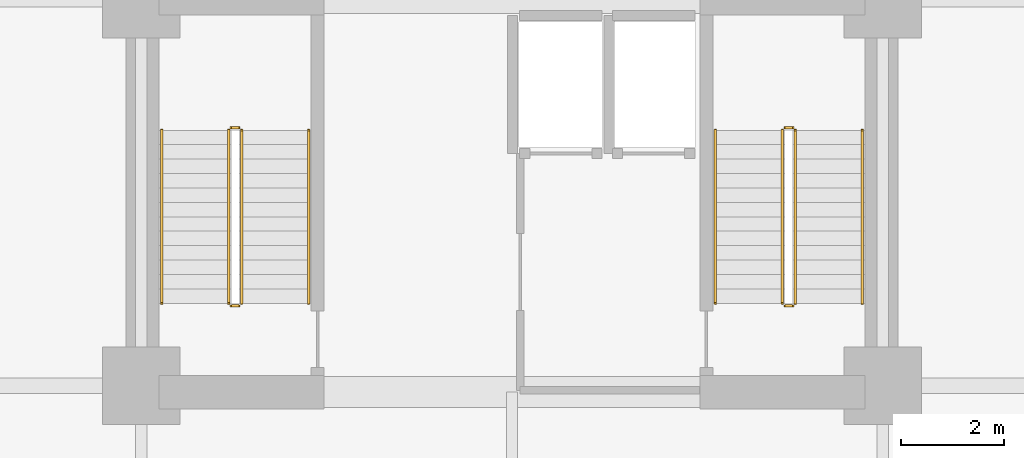
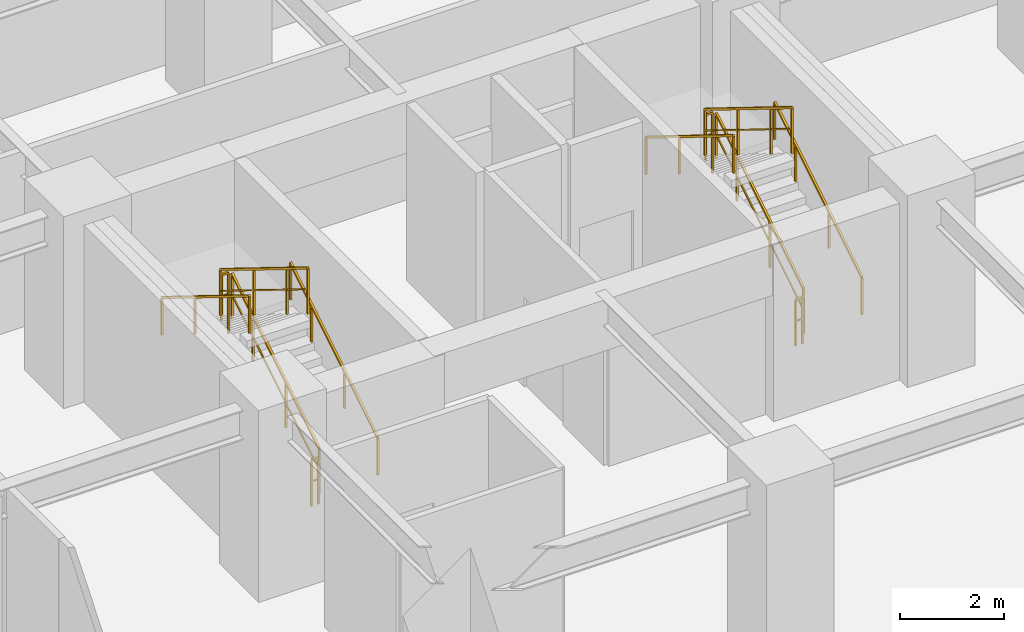
# One storey, part 11 of 11: 12 railings.
"""IFC4 building model written with IfcOpenShell, lengths in metres."""

from ifc_helpers import new_model, si_unit, direction, frame, origin, origin_2d, place, context, subcontext, project, spatial, rectangle, extrude, material, type_object, element, save


model = new_model("IFC4")

# Units and contexts
model_context = context("Model", 3, precision=1e-05, world=origin(), true_north=direction((0.0, 1.0)))
body_context = subcontext(model_context, "Body", "Model", "MODEL_VIEW")
ifc_project = project(units=[si_unit("LENGTHUNIT", "METRE"), si_unit("AREAUNIT", "SQUARE_METRE"), si_unit("VOLUMEUNIT", "CUBIC_METRE"), si_unit("PLANEANGLEUNIT", "RADIAN"), si_unit("MASSUNIT", "GRAM", prefix="KILO")], contexts=[model_context])

# Site, building, storey
site_placement = place(None, origin())
site = spatial("IfcSite", under=ifc_project, at=site_placement, CompositionType="ELEMENT")
building_placement = place(site_placement, origin())
building = spatial("IfcBuilding", under=site, at=building_placement, Name="Kaliganga Portal Commons", CompositionType="ELEMENT")
storey_placement = place(building_placement, frame((0.0, 0.0, -4.5)))
storey = spatial("IfcBuildingStorey", under=building, at=storey_placement, Name="B1", CompositionType="ELEMENT", Elevation=-4.5)

# Railings
ifc_material_1 = material(Name="Galvanized Painted Steel Balustrade", Category="steel")
railing_type_1 = type_object("IfcRailingType", Name="RLG-STAIR-GRD", PredefinedType="GUARDRAIL", material=ifc_material_1)
railing_1_placement = place(storey_placement, frame((16.35009765625, 30.25, 0.173095703125)))
element("IfcRailing", 1, at=railing_1_placement, inside=storey, type_object=railing_type_1, Name="B1 ST-A1 stair guard 1", PredefinedType="GUARDRAIL", context=body_context, shape_type="SweptSolid", body=[
    extrude(rectangle(XDim=0.048095703125, YDim=0.048095703125, at=origin_2d()), frame((0.0, 0.0, 1.07177734375), z_axis=(0.0, 0.850623216509, 0.525775754039), x_axis=(-1.0, 0.0, 0.0)), (0.0, 0.0, 1.0), 3.9501953125),
    extrude(rectangle(XDim=0.028076171875, YDim=0.028076171875, at=origin_2d()), frame((0.0, 0.0, 0.572021484375), z_axis=(0.0, 0.850623216509, 0.525775754039), x_axis=(-1.0, 0.0, 0.0)), (0.0, 0.0, 1.0), 3.9501953125),
    extrude(rectangle(XDim=0.0419921875, YDim=0.0419921875, at=origin_2d()), origin(), (0.0, 0.0, 1.0), 1.052001953125),
    extrude(rectangle(XDim=0.0419921875, YDim=0.0419921875, at=origin_2d()), frame((0.0, 1.27587890625, 0.78857421875)), (0.0, 0.0, 1.0), 1.052001953125),
    extrude(rectangle(XDim=0.0419921875, YDim=0.0419921875, at=origin_2d()), frame((0.0, 2.5517578125, 1.577392578125)), (0.0, 0.0, 1.0), 1.052001953125),
    extrude(rectangle(XDim=0.0419921875, YDim=0.0419921875, at=origin_2d()), frame((0.0, 3.360107421875, 2.076904296875)), (0.0, 0.0, 1.0), 1.052001953125),
])
railing_2_placement = place(storey_placement, frame((16.300048828125, 33.659912109375, 2.25)))
element("IfcRailing", 2, at=railing_2_placement, inside=storey, type_object=railing_type_1, Name="B1 ST-A1 stair guard 2", PredefinedType="GUARDRAIL", context=body_context, shape_type="SweptSolid", body=[
    extrude(rectangle(XDim=0.048095703125, YDim=0.048095703125, at=origin_2d()), frame((0.0, 0.0, 1.076171875), z_axis=(-1.0, 0.0, 0.0), x_axis=(0.0, -1.0, 0.0)), (0.0, 0.0, 1.0), 0.150146484375),
    extrude(rectangle(XDim=0.028076171875, YDim=0.028076171875, at=origin_2d()), frame((0.0, 0.0, 0.572021484375), z_axis=(-1.0, 0.0, 0.0), x_axis=(0.0, -1.0, 0.0)), (0.0, 0.0, 1.0), 0.150146484375),
    extrude(rectangle(XDim=0.0419921875, YDim=0.0419921875, at=origin_2d()), origin(), (0.0, 0.0, 1.0), 1.052001953125),
    extrude(rectangle(XDim=0.0419921875, YDim=0.0419921875, at=origin_2d()), frame((-0.150146484375, 0.0, 0.0)), (0.0, 0.0, 1.0), 1.052001953125),
])
railing_3_placement = place(storey_placement, frame((16.10009765625, 33.610107421875, 2.423095703125)))
element("IfcRailing", 3, at=railing_3_placement, inside=storey, type_object=railing_type_1, Name="B1 ST-A1 stair guard 3", PredefinedType="GUARDRAIL", context=body_context, shape_type="SweptSolid", body=[
    extrude(rectangle(XDim=0.048095703125, YDim=0.048095703125, at=origin_2d()), frame((0.0, 0.0, 1.07177734375), z_axis=(0.0, -0.850623216509, 0.525775754039), x_axis=(1.0, 0.0, 0.0)), (0.0, 0.0, 1.0), 3.9501953125),
    extrude(rectangle(XDim=0.028076171875, YDim=0.028076171875, at=origin_2d()), frame((0.0, 0.0, 0.572021484375), z_axis=(0.0, -0.850623216509, 0.525775754039), x_axis=(1.0, 0.0, 0.0)), (0.0, 0.0, 1.0), 3.9501953125),
    extrude(rectangle(XDim=0.0419921875, YDim=0.0419921875, at=origin_2d()), origin(), (0.0, 0.0, 1.0), 1.052001953125),
    extrude(rectangle(XDim=0.0419921875, YDim=0.0419921875, at=origin_2d()), frame((0.0, -1.27587890625, 0.78857421875)), (0.0, 0.0, 1.0), 1.052001953125),
    extrude(rectangle(XDim=0.0419921875, YDim=0.0419921875, at=origin_2d()), frame((0.0, -2.5517578125, 1.577392578125)), (0.0, 0.0, 1.0), 1.052001953125),
    extrude(rectangle(XDim=0.0419921875, YDim=0.0419921875, at=origin_2d()), frame((0.0, -3.360107421875, 2.076904296875)), (0.0, 0.0, 1.0), 1.052001953125),
])
railing_4_placement = place(storey_placement, frame((16.300048828125, 30.199951171875, 0.0)))
element("IfcRailing", 4, at=railing_4_placement, inside=storey, type_object=railing_type_1, Name="B1 ST-A1 stair guard 4", PredefinedType="GUARDRAIL", context=body_context, shape_type="SweptSolid", body=[
    extrude(rectangle(XDim=0.048095703125, YDim=0.048095703125, at=origin_2d()), frame((0.0, 0.0, 1.076171875), z_axis=(-1.0, 0.0, 0.0), x_axis=(0.0, -1.0, 0.0)), (0.0, 0.0, 1.0), 0.150146484375),
    extrude(rectangle(XDim=0.028076171875, YDim=0.028076171875, at=origin_2d()), frame((0.0, 0.0, 0.572021484375), z_axis=(-1.0, 0.0, 0.0), x_axis=(0.0, -1.0, 0.0)), (0.0, 0.0, 1.0), 0.150146484375),
    extrude(rectangle(XDim=0.0419921875, YDim=0.0419921875, at=origin_2d()), origin(), (0.0, 0.0, 1.0), 1.052001953125),
    extrude(rectangle(XDim=0.0419921875, YDim=0.0419921875, at=origin_2d()), frame((-0.150146484375, 0.0, 0.0)), (0.0, 0.0, 1.0), 1.052001953125),
])
railing_5_placement = place(storey_placement, frame((27.10009765625, 30.25, 0.173095703125)))
element("IfcRailing", 5, at=railing_5_placement, inside=storey, type_object=railing_type_1, Name="B1 ST-A2 stair guard 1", PredefinedType="GUARDRAIL", context=body_context, shape_type="SweptSolid", body=[
    extrude(rectangle(XDim=0.048095703125, YDim=0.048095703125, at=origin_2d()), frame((0.0, 0.0, 1.07177734375), z_axis=(0.0, 0.850623216509, 0.525775754039), x_axis=(-1.0, 0.0, 0.0)), (0.0, 0.0, 1.0), 3.9501953125),
    extrude(rectangle(XDim=0.028076171875, YDim=0.028076171875, at=origin_2d()), frame((0.0, 0.0, 0.572021484375), z_axis=(0.0, 0.850623216509, 0.525775754039), x_axis=(-1.0, 0.0, 0.0)), (0.0, 0.0, 1.0), 3.9501953125),
    extrude(rectangle(XDim=0.0419921875, YDim=0.0419921875, at=origin_2d()), origin(), (0.0, 0.0, 1.0), 1.052001953125),
    extrude(rectangle(XDim=0.0419921875, YDim=0.0419921875, at=origin_2d()), frame((0.0, 1.27587890625, 0.78857421875)), (0.0, 0.0, 1.0), 1.052001953125),
    extrude(rectangle(XDim=0.0419921875, YDim=0.0419921875, at=origin_2d()), frame((0.0, 2.5517578125, 1.577392578125)), (0.0, 0.0, 1.0), 1.052001953125),
    extrude(rectangle(XDim=0.0419921875, YDim=0.0419921875, at=origin_2d()), frame((0.0, 3.360107421875, 2.076904296875)), (0.0, 0.0, 1.0), 1.052001953125),
])
railing_6_placement = place(storey_placement, frame((27.050048828125, 33.659912109375, 2.25)))
element("IfcRailing", 6, at=railing_6_placement, inside=storey, type_object=railing_type_1, Name="B1 ST-A2 stair guard 2", PredefinedType="GUARDRAIL", context=body_context, shape_type="SweptSolid", body=[
    extrude(rectangle(XDim=0.048095703125, YDim=0.048095703125, at=origin_2d()), frame((0.0, 0.0, 1.076171875), z_axis=(-1.0, 0.0, 0.0), x_axis=(0.0, -1.0, 0.0)), (0.0, 0.0, 1.0), 0.150146484375),
    extrude(rectangle(XDim=0.028076171875, YDim=0.028076171875, at=origin_2d()), frame((0.0, 0.0, 0.572021484375), z_axis=(-1.0, 0.0, 0.0), x_axis=(0.0, -1.0, 0.0)), (0.0, 0.0, 1.0), 0.150146484375),
    extrude(rectangle(XDim=0.0419921875, YDim=0.0419921875, at=origin_2d()), origin(), (0.0, 0.0, 1.0), 1.052001953125),
    extrude(rectangle(XDim=0.0419921875, YDim=0.0419921875, at=origin_2d()), frame((-0.150146484375, 0.0, 0.0)), (0.0, 0.0, 1.0), 1.052001953125),
])
railing_7_placement = place(storey_placement, frame((26.85009765625, 33.610107421875, 2.423095703125)))
element("IfcRailing", 7, at=railing_7_placement, inside=storey, type_object=railing_type_1, Name="B1 ST-A2 stair guard 3", PredefinedType="GUARDRAIL", context=body_context, shape_type="SweptSolid", body=[
    extrude(rectangle(XDim=0.048095703125, YDim=0.048095703125, at=origin_2d()), frame((0.0, 0.0, 1.07177734375), z_axis=(0.0, -0.850623216509, 0.525775754039), x_axis=(1.0, 0.0, 0.0)), (0.0, 0.0, 1.0), 3.9501953125),
    extrude(rectangle(XDim=0.028076171875, YDim=0.028076171875, at=origin_2d()), frame((0.0, 0.0, 0.572021484375), z_axis=(0.0, -0.850623216509, 0.525775754039), x_axis=(1.0, 0.0, 0.0)), (0.0, 0.0, 1.0), 3.9501953125),
    extrude(rectangle(XDim=0.0419921875, YDim=0.0419921875, at=origin_2d()), origin(), (0.0, 0.0, 1.0), 1.052001953125),
    extrude(rectangle(XDim=0.0419921875, YDim=0.0419921875, at=origin_2d()), frame((0.0, -1.27587890625, 0.78857421875)), (0.0, 0.0, 1.0), 1.052001953125),
    extrude(rectangle(XDim=0.0419921875, YDim=0.0419921875, at=origin_2d()), frame((0.0, -2.5517578125, 1.577392578125)), (0.0, 0.0, 1.0), 1.052001953125),
    extrude(rectangle(XDim=0.0419921875, YDim=0.0419921875, at=origin_2d()), frame((0.0, -3.360107421875, 2.076904296875)), (0.0, 0.0, 1.0), 1.052001953125),
])
railing_8_placement = place(storey_placement, frame((27.050048828125, 30.199951171875, 0.0)))
element("IfcRailing", 8, at=railing_8_placement, inside=storey, type_object=railing_type_1, Name="B1 ST-A2 stair guard 4", PredefinedType="GUARDRAIL", context=body_context, shape_type="SweptSolid", body=[
    extrude(rectangle(XDim=0.048095703125, YDim=0.048095703125, at=origin_2d()), frame((0.0, 0.0, 1.076171875), z_axis=(-1.0, 0.0, 0.0), x_axis=(0.0, -1.0, 0.0)), (0.0, 0.0, 1.0), 0.150146484375),
    extrude(rectangle(XDim=0.028076171875, YDim=0.028076171875, at=origin_2d()), frame((0.0, 0.0, 0.572021484375), z_axis=(-1.0, 0.0, 0.0), x_axis=(0.0, -1.0, 0.0)), (0.0, 0.0, 1.0), 0.150146484375),
    extrude(rectangle(XDim=0.0419921875, YDim=0.0419921875, at=origin_2d()), origin(), (0.0, 0.0, 1.0), 1.052001953125),
    extrude(rectangle(XDim=0.0419921875, YDim=0.0419921875, at=origin_2d()), frame((-0.150146484375, 0.0, 0.0)), (0.0, 0.0, 1.0), 1.052001953125),
])
ifc_material_2 = material(Name="Brushed Stainless Steel 316", Category="steel")
railing_type_2 = type_object("IfcRailingType", Name="RLG-STAIR-HR", PredefinedType="HANDRAIL", material=ifc_material_2)
railing_9_placement = place(storey_placement, frame((17.64990234375, 30.25, 0.173095703125)))
element("IfcRailing", 9, at=railing_9_placement, inside=storey, type_object=railing_type_2, Name="B1 ST-A1 stair handrail 1", PredefinedType="HANDRAIL", context=body_context, shape_type="SweptSolid", body=[
    extrude(rectangle(XDim=0.048095703125, YDim=0.048095703125, at=origin_2d()), frame((0.0, 0.0, 0.87158203125), z_axis=(0.0, 0.850623216509, 0.525775754039), x_axis=(-1.0, 0.0, 0.0)), (0.0, 0.0, 1.0), 3.9501953125),
    extrude(rectangle(XDim=0.0419921875, YDim=0.0419921875, at=origin_2d()), origin(), (0.0, 0.0, 1.0), 0.851806640625),
    extrude(rectangle(XDim=0.0419921875, YDim=0.0419921875, at=origin_2d()), frame((0.0, 1.27587890625, 0.78857421875)), (0.0, 0.0, 1.0), 0.851806640625),
    extrude(rectangle(XDim=0.0419921875, YDim=0.0419921875, at=origin_2d()), frame((0.0, 2.5517578125, 1.577392578125)), (0.0, 0.0, 1.0), 0.851806640625),
    extrude(rectangle(XDim=0.0419921875, YDim=0.0419921875, at=origin_2d()), frame((0.0, 3.360107421875, 2.076904296875)), (0.0, 0.0, 1.0), 0.851806640625),
])
railing_10_placement = place(storey_placement, frame((14.800048828125, 33.610107421875, 2.423095703125)))
element("IfcRailing", 10, at=railing_10_placement, inside=storey, type_object=railing_type_2, Name="B1 ST-A1 stair handrail 2", PredefinedType="HANDRAIL", context=body_context, shape_type="SweptSolid", body=[
    extrude(rectangle(XDim=0.048095703125, YDim=0.048095703125, at=origin_2d()), frame((0.0, 0.0, 0.87158203125), z_axis=(0.0, -0.850623216509, 0.525775754039), x_axis=(1.0, 0.0, 0.0)), (0.0, 0.0, 1.0), 3.9501953125),
    extrude(rectangle(XDim=0.0419921875, YDim=0.0419921875, at=origin_2d()), origin(), (0.0, 0.0, 1.0), 0.851806640625),
    extrude(rectangle(XDim=0.0419921875, YDim=0.0419921875, at=origin_2d()), frame((0.0, -1.27587890625, 0.78857421875)), (0.0, 0.0, 1.0), 0.851806640625),
    extrude(rectangle(XDim=0.0419921875, YDim=0.0419921875, at=origin_2d()), frame((0.0, -2.5517578125, 1.577392578125)), (0.0, 0.0, 1.0), 0.851806640625),
    extrude(rectangle(XDim=0.0419921875, YDim=0.0419921875, at=origin_2d()), frame((0.0, -3.360107421875, 2.076904296875)), (0.0, 0.0, 1.0), 0.851806640625),
])
railing_11_placement = place(storey_placement, frame((28.39990234375, 30.25, 0.173095703125)))
element("IfcRailing", 11, at=railing_11_placement, inside=storey, type_object=railing_type_2, Name="B1 ST-A2 stair handrail 1", PredefinedType="HANDRAIL", context=body_context, shape_type="SweptSolid", body=[
    extrude(rectangle(XDim=0.048095703125, YDim=0.048095703125, at=origin_2d()), frame((0.0, 0.0, 0.87158203125), z_axis=(0.0, 0.850623216509, 0.525775754039), x_axis=(-1.0, 0.0, 0.0)), (0.0, 0.0, 1.0), 3.9501953125),
    extrude(rectangle(XDim=0.0419921875, YDim=0.0419921875, at=origin_2d()), origin(), (0.0, 0.0, 1.0), 0.851806640625),
    extrude(rectangle(XDim=0.0419921875, YDim=0.0419921875, at=origin_2d()), frame((0.0, 1.27587890625, 0.78857421875)), (0.0, 0.0, 1.0), 0.851806640625),
    extrude(rectangle(XDim=0.0419921875, YDim=0.0419921875, at=origin_2d()), frame((0.0, 2.5517578125, 1.577392578125)), (0.0, 0.0, 1.0), 0.851806640625),
    extrude(rectangle(XDim=0.0419921875, YDim=0.0419921875, at=origin_2d()), frame((0.0, 3.360107421875, 2.076904296875)), (0.0, 0.0, 1.0), 0.851806640625),
])
railing_12_placement = place(storey_placement, frame((25.550048828125, 33.610107421875, 2.423095703125)))
element("IfcRailing", 12, at=railing_12_placement, inside=storey, type_object=railing_type_2, Name="B1 ST-A2 stair handrail 2", PredefinedType="HANDRAIL", context=body_context, shape_type="SweptSolid", body=[
    extrude(rectangle(XDim=0.048095703125, YDim=0.048095703125, at=origin_2d()), frame((0.0, 0.0, 0.87158203125), z_axis=(0.0, -0.850623216509, 0.525775754039), x_axis=(1.0, 0.0, 0.0)), (0.0, 0.0, 1.0), 3.9501953125),
    extrude(rectangle(XDim=0.0419921875, YDim=0.0419921875, at=origin_2d()), origin(), (0.0, 0.0, 1.0), 0.851806640625),
    extrude(rectangle(XDim=0.0419921875, YDim=0.0419921875, at=origin_2d()), frame((0.0, -1.27587890625, 0.78857421875)), (0.0, 0.0, 1.0), 0.851806640625),
    extrude(rectangle(XDim=0.0419921875, YDim=0.0419921875, at=origin_2d()), frame((0.0, -2.5517578125, 1.577392578125)), (0.0, 0.0, 1.0), 0.851806640625),
    extrude(rectangle(XDim=0.0419921875, YDim=0.0419921875, at=origin_2d()), frame((0.0, -3.360107421875, 2.076904296875)), (0.0, 0.0, 1.0), 0.851806640625),
])

save(model, "model.ifc")
